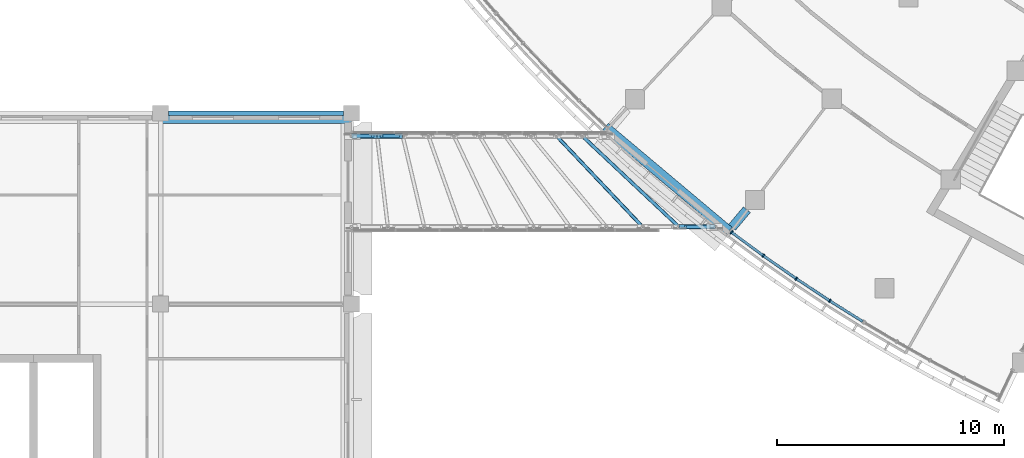
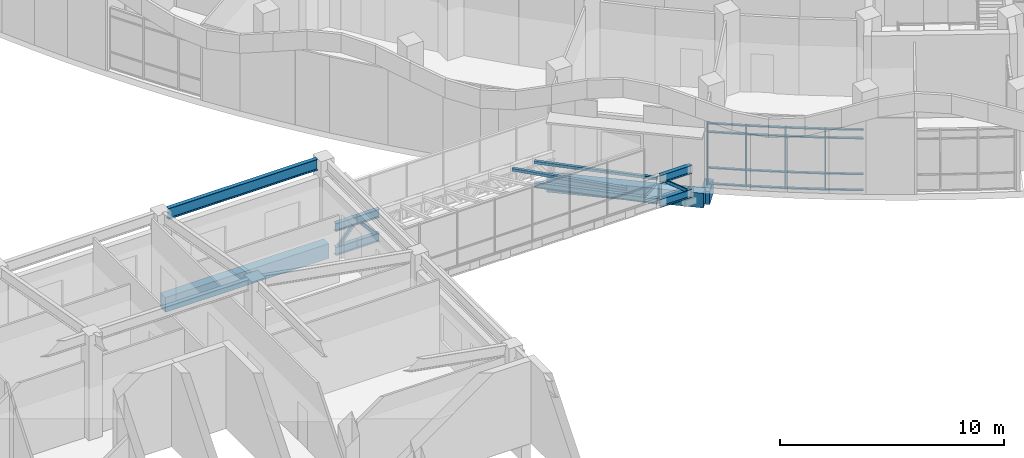
# One storey, part 5 of 136: 32 members, 4 beams, 1 element without a shape of its own.
"""IFC4 building model written with IfcOpenShell, lengths in metres."""

from ifc_helpers import new_model, si_unit, direction, frame, origin, origin_2d, place, context, subcontext, project, spatial, rectangle, hollow_rectangle, i_section, extrude, material, material_profile, profile_set, type_object, element, aggregate, save


model = new_model("IFC4")

# Units and contexts
model_context = context("Model", 3, precision=1e-05, world=origin(), true_north=direction((0.0, 1.0)))
body_context = subcontext(model_context, "Body", "Model", "MODEL_VIEW")
ifc_project = project(units=[si_unit("LENGTHUNIT", "METRE"), si_unit("AREAUNIT", "SQUARE_METRE"), si_unit("VOLUMEUNIT", "CUBIC_METRE"), si_unit("PLANEANGLEUNIT", "RADIAN"), si_unit("MASSUNIT", "GRAM", prefix="KILO")], contexts=[model_context])

# Site, building, storey
site_placement = place(None, origin())
site = spatial("IfcSite", under=ifc_project, at=site_placement, CompositionType="ELEMENT")
building_placement = place(site_placement, origin())
building = spatial("IfcBuilding", under=site, at=building_placement, Name="Bougainvillea Quay General Hospital", CompositionType="ELEMENT")
storey_placement = place(building_placement, frame((0.0, 0.0, 5.39990234375)))
storey = spatial("IfcBuildingStorey", under=building, at=storey_placement, Name="L01", CompositionType="ELEMENT", Elevation=5.39990234375)

# Curtain wall, members
ifc_material_1 = material(Name="Aluminium curtain wall system, powder-coated glazed", Category="aluminium")
curtain_wall_type = type_object("IfcCurtainWallType", Name="Unitised curtain wall CW-2100", PredefinedType="NOTDEFINED", material=ifc_material_1)
curtain_wall_placement = place(storey_placement, origin())
curtain_wall = element("IfcCurtainWall", 1, at=curtain_wall_placement, inside=storey, type_object=curtain_wall_type, Name="CW-W02 a01b1", PredefinedType="NOTDEFINED")
ifc_material_2 = material(Name="Aluminium mullion, powder-coated charcoal", Category="aluminium")
ifc_material_profile_1 = material_profile(ifc_material_2, rectangle(XDim=0.159912109375, YDim=0.06005859375, at=origin_2d()))
ifc_profile_set_1 = profile_set([ifc_material_profile_1], Name="Aluminium mullion, powder-coated charcoal")
member_type_1 = type_object("IfcMemberType", Name="Curtain wall mullion 160x60", PredefinedType="MULLION", material=ifc_profile_set_1)
member_1_placement = place(storey_placement, frame((71.45166015625, 67.347412109375, 0.0), z_axis=(0.0, 0.0, 1.0), x_axis=(-0.541194636325, -0.840897357359, 0.0)))
member_1 = element("IfcMember", 2, at=member_1_placement, type_object=member_type_1, Name="CW-W02 mullion 2", PredefinedType="MULLION", context=body_context, shape_type="SweptSolid", body=[
    extrude(rectangle(XDim=0.159912109375, YDim=0.06005859375, at=origin_2d()), origin(), (0.0, 0.0, 1.0), 3.35009765625),
])
member_2_placement = place(storey_placement, frame((69.9765625, 68.323486328125, 0.0), z_axis=(0.0, 0.0, 1.0), x_axis=(-0.562343185136, -0.826903949762, 0.0)))
member_2 = element("IfcMember", 3, at=member_2_placement, type_object=member_type_1, Name="CW-W02 mullion 3", PredefinedType="MULLION", context=body_context, shape_type="SweptSolid", body=[
    extrude(rectangle(XDim=0.159912109375, YDim=0.06005859375, at=origin_2d()), origin(), (0.0, 0.0, 1.0), 3.35009765625),
])
member_3_placement = place(storey_placement, frame((68.526611328125, 69.336669921875, 0.0), z_axis=(0.0, 0.0, 1.0), x_axis=(-0.583130104218, -0.812378779606, 0.0)))
member_3 = element("IfcMember", 4, at=member_3_placement, type_object=member_type_1, Name="CW-W02 mullion 4", PredefinedType="MULLION", context=body_context, shape_type="SweptSolid", body=[
    extrude(rectangle(XDim=0.159912109375, YDim=0.06005859375, at=origin_2d()), origin(), (0.0, 0.0, 1.0), 3.35009765625),
])
member_4_placement = place(storey_placement, frame((67.127197265625, 70.368408203125, 0.0), z_axis=(0.0, 0.0, 1.0), x_axis=(-0.593383765922, -0.804919689373, 0.0)))
member_4 = element("IfcMember", 5, at=member_4_placement, type_object=member_type_1, Name="CW-W02 mullion 5", PredefinedType="MULLION", context=body_context, shape_type="SweptSolid", body=[
    extrude(rectangle(XDim=0.159912109375, YDim=0.06005859375, at=origin_2d()), origin(), (0.0, 0.0, 1.0), 3.35009765625),
])
ifc_material_3 = material(Name="Aluminium transom, powder-coated charcoal", Category="aluminium")
ifc_material_profile_2 = material_profile(ifc_material_3, rectangle(XDim=0.1201171875, YDim=0.06005859375, at=origin_2d()))
ifc_profile_set_2 = profile_set([ifc_material_profile_2], Name="Aluminium transom, powder-coated charcoal")
member_type_2 = type_object("IfcMemberType", Name="Curtain wall transom 120x60", PredefinedType="USERDEFINED", material=ifc_profile_set_2)
member_5_placement = place(storey_placement, frame((72.900146484375, 66.44091796875, 0.030029296875), z_axis=(-0.847679524006, 0.530508647036, 0.0), x_axis=(-0.530508647036, -0.847679524006, 0.0)))
member_5 = element("IfcMember", 6, at=member_5_placement, type_object=member_type_2, Name="CW-W02 transom 1.1", ObjectType="TRANSOM", PredefinedType="USERDEFINED", context=body_context, shape_type="SweptSolid", body=[
    extrude(rectangle(XDim=0.1201171875, YDim=0.06005859375, at=origin_2d()), origin(), (0.0, 0.0, 1.0), 1.6787109375),
])
member_6_placement = place(storey_placement, frame((72.900146484375, 66.44091796875, 0.900146484375), z_axis=(-0.847679524006, 0.530508647036, 0.0), x_axis=(-0.530508647036, -0.847679524006, 0.0)))
member_6 = element("IfcMember", 7, at=member_6_placement, type_object=member_type_2, Name="CW-W02 transom 1.2", ObjectType="TRANSOM", PredefinedType="USERDEFINED", context=body_context, shape_type="SweptSolid", body=[
    extrude(rectangle(XDim=0.1201171875, YDim=0.06005859375, at=origin_2d()), origin(), (0.0, 0.0, 1.0), 1.6787109375),
])
member_7_placement = place(storey_placement, frame((72.900146484375, 66.44091796875, 2.85009765625), z_axis=(-0.847679524006, 0.530508647036, 0.0), x_axis=(-0.530508647036, -0.847679524006, 0.0)))
member_7 = element("IfcMember", 8, at=member_7_placement, type_object=member_type_2, Name="CW-W02 transom 1.3", ObjectType="TRANSOM", PredefinedType="USERDEFINED", context=body_context, shape_type="SweptSolid", body=[
    extrude(rectangle(XDim=0.1201171875, YDim=0.06005859375, at=origin_2d()), origin(), (0.0, 0.0, 1.0), 1.6787109375),
])
member_8_placement = place(storey_placement, frame((72.900146484375, 66.44091796875, 3.320068359375), z_axis=(-0.847679524006, 0.530508647036, 0.0), x_axis=(-0.530508647036, -0.847679524006, 0.0)))
member_8 = element("IfcMember", 9, at=member_8_placement, type_object=member_type_2, Name="CW-W02 transom 1.4", ObjectType="TRANSOM", PredefinedType="USERDEFINED", context=body_context, shape_type="SweptSolid", body=[
    extrude(rectangle(XDim=0.1201171875, YDim=0.06005859375, at=origin_2d()), origin(), (0.0, 0.0, 1.0), 1.6787109375),
])
member_9_placement = place(storey_placement, frame((71.4267578125, 67.364013671875, 0.030029296875), z_axis=(-0.833979585155, 0.551795298589, 0.0), x_axis=(-0.551795298589, -0.833979585155, 0.0)))
member_9 = element("IfcMember", 10, at=member_9_placement, type_object=member_type_2, Name="CW-W02 transom 2.1", ObjectType="TRANSOM", PredefinedType="USERDEFINED", context=body_context, shape_type="SweptSolid", body=[
    extrude(rectangle(XDim=0.1201171875, YDim=0.06005859375, at=origin_2d()), origin(), (0.0, 0.0, 1.0), 1.708740234375),
])
member_10_placement = place(storey_placement, frame((71.4267578125, 67.364013671875, 0.900146484375), z_axis=(-0.833979585155, 0.551795298589, 0.0), x_axis=(-0.551795298589, -0.833979585155, 0.0)))
member_10 = element("IfcMember", 11, at=member_10_placement, type_object=member_type_2, Name="CW-W02 transom 2.2", ObjectType="TRANSOM", PredefinedType="USERDEFINED", context=body_context, shape_type="SweptSolid", body=[
    extrude(rectangle(XDim=0.1201171875, YDim=0.06005859375, at=origin_2d()), origin(), (0.0, 0.0, 1.0), 1.708740234375),
])
member_11_placement = place(storey_placement, frame((71.4267578125, 67.364013671875, 2.85009765625), z_axis=(-0.833979585155, 0.551795298589, 0.0), x_axis=(-0.551795298589, -0.833979585155, 0.0)))
member_11 = element("IfcMember", 12, at=member_11_placement, type_object=member_type_2, Name="CW-W02 transom 2.3", ObjectType="TRANSOM", PredefinedType="USERDEFINED", context=body_context, shape_type="SweptSolid", body=[
    extrude(rectangle(XDim=0.1201171875, YDim=0.06005859375, at=origin_2d()), origin(), (0.0, 0.0, 1.0), 1.708740234375),
])
member_12_placement = place(storey_placement, frame((71.4267578125, 67.364013671875, 3.320068359375), z_axis=(-0.833979585155, 0.551795298589, 0.0), x_axis=(-0.551795298589, -0.833979585155, 0.0)))
member_12 = element("IfcMember", 13, at=member_12_placement, type_object=member_type_2, Name="CW-W02 transom 2.4", ObjectType="TRANSOM", PredefinedType="USERDEFINED", context=body_context, shape_type="SweptSolid", body=[
    extrude(rectangle(XDim=0.1201171875, YDim=0.06005859375, at=origin_2d()), origin(), (0.0, 0.0, 1.0), 1.708740234375),
])
member_13_placement = place(storey_placement, frame((69.951904296875, 68.340576171875, 0.030029296875), z_axis=(-0.81969481029, 0.572800504524, 0.0), x_axis=(-0.572800504524, -0.81969481029, 0.0)))
member_13 = element("IfcMember", 14, at=member_13_placement, type_object=member_type_2, Name="CW-W02 transom 3.1", ObjectType="TRANSOM", PredefinedType="USERDEFINED", context=body_context, shape_type="SweptSolid", body=[
    extrude(rectangle(XDim=0.1201171875, YDim=0.06005859375, at=origin_2d()), origin(), (0.0, 0.0, 1.0), 1.708740234375),
])
member_14_placement = place(storey_placement, frame((69.951904296875, 68.340576171875, 0.900146484375), z_axis=(-0.81969481029, 0.572800504524, 0.0), x_axis=(-0.572800504524, -0.81969481029, 0.0)))
member_14 = element("IfcMember", 15, at=member_14_placement, type_object=member_type_2, Name="CW-W02 transom 3.2", ObjectType="TRANSOM", PredefinedType="USERDEFINED", context=body_context, shape_type="SweptSolid", body=[
    extrude(rectangle(XDim=0.1201171875, YDim=0.06005859375, at=origin_2d()), origin(), (0.0, 0.0, 1.0), 1.708740234375),
])
member_15_placement = place(storey_placement, frame((69.951904296875, 68.340576171875, 2.85009765625), z_axis=(-0.81969481029, 0.572800504524, 0.0), x_axis=(-0.572800504524, -0.81969481029, 0.0)))
member_15 = element("IfcMember", 16, at=member_15_placement, type_object=member_type_2, Name="CW-W02 transom 3.3", ObjectType="TRANSOM", PredefinedType="USERDEFINED", context=body_context, shape_type="SweptSolid", body=[
    extrude(rectangle(XDim=0.1201171875, YDim=0.06005859375, at=origin_2d()), origin(), (0.0, 0.0, 1.0), 1.708740234375),
])
member_16_placement = place(storey_placement, frame((69.951904296875, 68.340576171875, 3.320068359375), z_axis=(-0.81969481029, 0.572800504524, 0.0), x_axis=(-0.572800504524, -0.81969481029, 0.0)))
member_16 = element("IfcMember", 17, at=member_16_placement, type_object=member_type_2, Name="CW-W02 transom 3.4", ObjectType="TRANSOM", PredefinedType="USERDEFINED", context=body_context, shape_type="SweptSolid", body=[
    extrude(rectangle(XDim=0.1201171875, YDim=0.06005859375, at=origin_2d()), origin(), (0.0, 0.0, 1.0), 1.708740234375),
])
member_17_placement = place(storey_placement, frame((68.50244140625, 69.3544921875, 0.030029296875), z_axis=(-0.804894956089, 0.593417314934, 0.0), x_axis=(-0.593417314934, -0.804894956089, 0.0)))
member_17 = element("IfcMember", 18, at=member_17_placement, type_object=member_type_2, Name="CW-W02 transom 4.1", ObjectType="TRANSOM", PredefinedType="USERDEFINED", context=body_context, shape_type="SweptSolid", body=[
    extrude(rectangle(XDim=0.1201171875, YDim=0.06005859375, at=origin_2d()), origin(), (0.0, 0.0, 1.0), 1.678466796875),
])
member_18_placement = place(storey_placement, frame((68.50244140625, 69.3544921875, 0.900146484375), z_axis=(-0.804894956089, 0.593417314934, 0.0), x_axis=(-0.593417314934, -0.804894956089, 0.0)))
member_18 = element("IfcMember", 19, at=member_18_placement, type_object=member_type_2, Name="CW-W02 transom 4.2", ObjectType="TRANSOM", PredefinedType="USERDEFINED", context=body_context, shape_type="SweptSolid", body=[
    extrude(rectangle(XDim=0.1201171875, YDim=0.06005859375, at=origin_2d()), origin(), (0.0, 0.0, 1.0), 1.678466796875),
])
member_19_placement = place(storey_placement, frame((68.50244140625, 69.3544921875, 2.85009765625), z_axis=(-0.804894956089, 0.593417314934, 0.0), x_axis=(-0.593417314934, -0.804894956089, 0.0)))
member_19 = element("IfcMember", 20, at=member_19_placement, type_object=member_type_2, Name="CW-W02 transom 4.3", ObjectType="TRANSOM", PredefinedType="USERDEFINED", context=body_context, shape_type="SweptSolid", body=[
    extrude(rectangle(XDim=0.1201171875, YDim=0.06005859375, at=origin_2d()), origin(), (0.0, 0.0, 1.0), 1.678466796875),
])
member_20_placement = place(storey_placement, frame((68.50244140625, 69.3544921875, 3.320068359375), z_axis=(-0.804894956089, 0.593417314934, 0.0), x_axis=(-0.593417314934, -0.804894956089, 0.0)))
member_20 = element("IfcMember", 21, at=member_20_placement, type_object=member_type_2, Name="CW-W02 transom 4.4", ObjectType="TRANSOM", PredefinedType="USERDEFINED", context=body_context, shape_type="SweptSolid", body=[
    extrude(rectangle(XDim=0.1201171875, YDim=0.06005859375, at=origin_2d()), origin(), (0.0, 0.0, 1.0), 1.678466796875),
])
aggregate(curtain_wall, [member_1, member_2, member_3, member_4, member_5, member_6, member_7, member_8, member_9, member_10, member_11, member_12, member_13, member_14, member_15, member_16, member_17, member_18, member_19, member_20])

# Members
ifc_material_4 = material(Name="Steel Q355", Category="steel")
ifc_material_profile_3 = material_profile(ifc_material_4, i_section(OverallWidth=0.14990234375, OverallDepth=0.300048828125, WebThickness=0.006591796875, FlangeThickness=0.009033203125, FilletRadius=0.012939453125, at=origin_2d()))
ifc_profile_set_3 = profile_set([ifc_material_profile_3], Name="Steel Q355")
member_type_3 = type_object("IfcMemberType", Name="HN 300x150x6.5x9 Q355 STRUT", PredefinedType="STRUT", material=ifc_profile_set_3)
member_21_placement = place(storey_placement, frame((60.631591796875, 74.531494140625, -0.27001953125), z_axis=(0.728912187869, -0.684607202983, 0.0), x_axis=(0.684607202983, 0.728912187869, 0.0)))
element("IfcMember", 22, at=member_21_placement, inside=storey, type_object=member_type_3, Name="Bridge floor beam", PredefinedType="STRUT", context=body_context, shape_type="SweptSolid", body=[
    extrude(i_section(OverallWidth=0.14990234375, OverallDepth=0.300048828125, WebThickness=0.006591796875, FlangeThickness=0.009033203125, FilletRadius=0.012939453125, at=origin_2d()), origin(), (0.0, 0.0, 1.0), 5.642822265625),
])
ifc_material_profile_4 = material_profile(ifc_material_4, i_section(OverallWidth=0.199951171875, OverallDepth=0.449951171875, WebThickness=0.009033203125, FlangeThickness=0.013916015625, FilletRadius=0.012939453125, at=origin_2d()))
ifc_profile_set_4 = profile_set([ifc_material_profile_4], Name="Steel Q355")
member_type_4 = type_object("IfcMemberType", Name="HN 450x200x9x14 Q355 CHORD", PredefinedType="CHORD", material=ifc_profile_set_4)
for number, where, z_axis, x_axis, name in (
    (23, (50.39990234375, 74.60009765625, -0.344970703125), (1.0, 0.0, 0.0), (0.0, 1.0, 0.0), "Bottom chord"),
    (24, (50.39990234375, 74.60009765625, 0.955078125), (1.0, 0.0, 0.0), (0.0, 1.0, 0.0), "Top chord"),
):
    element("IfcMember", number, at=place(storey_placement, frame(where, z_axis=z_axis, x_axis=x_axis)), inside=storey, type_object=member_type_4, Name=name, PredefinedType="CHORD", context=body_context, shape_type="SweptSolid", body=[
        extrude(i_section(OverallWidth=0.199951171875, OverallDepth=0.449951171875, WebThickness=0.009033203125, FlangeThickness=0.013916015625, FilletRadius=0.012939453125, at=origin_2d()), origin(), (0.0, 0.0, 1.0), 1.12890625),
    ])
for number, where, z_axis, x_axis, name in (
    (25, (51.52880859375, 74.60009765625, -0.344970703125), (1.0, 0.0, 0.0), (0.0, 1.0, 0.0), "Bottom chord"),
    (26, (51.52880859375, 74.60009765625, 0.955078125), (1.0, 0.0, 0.0), (0.0, 1.0, 0.0), "Top chord"),
):
    element("IfcMember", number, at=place(storey_placement, frame(where, z_axis=z_axis, x_axis=x_axis)), inside=storey, type_object=member_type_4, Name=name, PredefinedType="CHORD", context=body_context, shape_type="SweptSolid", body=[
        extrude(i_section(OverallWidth=0.199951171875, OverallDepth=0.449951171875, WebThickness=0.009033203125, FlangeThickness=0.013916015625, FilletRadius=0.012939453125, at=origin_2d()), origin(), (0.0, 0.0, 1.0), 1.128662109375),
    ])
for number, where, z_axis, x_axis, name in (
    (27, (64.817626953125, 70.60009765625, -0.344970703125), (1.0, 0.0, 0.0), (0.0, 1.0, 0.0), "Bottom chord"),
    (28, (64.817626953125, 70.60009765625, 0.955078125), (1.0, 0.0, 0.0), (0.0, 1.0, 0.0), "Top chord"),
):
    element("IfcMember", number, at=place(storey_placement, frame(where, z_axis=z_axis, x_axis=x_axis)), inside=storey, type_object=member_type_4, Name=name, PredefinedType="CHORD", context=body_context, shape_type="SweptSolid", body=[
        extrude(i_section(OverallWidth=0.199951171875, OverallDepth=0.449951171875, WebThickness=0.009033203125, FlangeThickness=0.013916015625, FilletRadius=0.012939453125, at=origin_2d()), origin(), (0.0, 0.0, 1.0), 1.60205078125),
    ])

# Beams
ifc_material_profile_5 = material_profile(ifc_material_4, i_section(OverallWidth=0.199951171875, OverallDepth=0.60009765625, WebThickness=0.010986328125, FlangeThickness=0.01708984375, FilletRadius=0.012939453125, at=origin_2d()))
ifc_profile_set_5 = profile_set([ifc_material_profile_5], Name="Steel Q355")
beam_type_1 = type_object("IfcBeamType", Name="HN 600x200x11x17 Q355", PredefinedType="BEAM", material=ifc_profile_set_5)
beam_1_placement = place(storey_placement, frame((42.35009765625, 75.60009765625, 3.91015625), z_axis=(1.0, 0.0, 0.0), x_axis=(0.0, 1.0, 0.0)))
element("IfcBeam", 29, at=beam_1_placement, inside=storey, type_object=beam_type_1, Name="Roof girder", PredefinedType="BEAM", context=body_context, shape_type="SweptSolid", body=[
    extrude(i_section(OverallWidth=0.199951171875, OverallDepth=0.60009765625, WebThickness=0.010986328125, FlangeThickness=0.01708984375, FilletRadius=0.012939453125, at=origin_2d()), origin(), (0.0, 0.0, 1.0), 7.699951171875),
])
ifc_material_5 = material(Name="Concrete C40", Category="concrete")
ifc_material_profile_6 = material_profile(ifc_material_5, rectangle(XDim=0.39990234375, YDim=0.699951171875, at=origin_2d()))
ifc_profile_set_6 = profile_set([ifc_material_profile_6], Name="Concrete C40")
beam_type_2 = type_object("IfcBeamType", Name="RC BEAM 400x700 C40", PredefinedType="BEAM", material=ifc_profile_set_6)
beam_2_placement = place(storey_placement, frame((67.802001953125, 71.35595703125, -0.89990234375), z_axis=(-0.643345335984, -0.765576108998, 0.0), x_axis=(0.765576108998, -0.643345335984, 0.0)))
element("IfcBeam", 30, at=beam_2_placement, inside=storey, type_object=beam_type_2, Name="Landing stub beam", PredefinedType="BEAM", context=body_context, shape_type="SweptSolid", body=[
    extrude(rectangle(XDim=0.39990234375, YDim=0.699951171875, at=origin_2d()), origin(), (0.0, 0.0, 1.0), 1.0087890625),
])
ifc_material_profile_7 = material_profile(ifc_material_5, rectangle(XDim=0.449951171875, YDim=0.800048828125, at=origin_2d()))
ifc_profile_set_7 = profile_set([ifc_material_profile_7], Name="Concrete C40")
beam_type_3 = type_object("IfcBeamType", Name="RC BEAM 450x800 C40", PredefinedType="BEAM", material=ifc_profile_set_7)
beam_3_placement = place(storey_placement, frame((50.39990234375, 75.375, -0.699951171875), z_axis=(-1.0, 0.0, 0.0), x_axis=(0.0, -1.0, 0.0)))
element("IfcBeam", 31, at=beam_3_placement, inside=storey, type_object=beam_type_3, Name="Edge beam L01", PredefinedType="BEAM", context=body_context, shape_type="SweptSolid", body=[
    extrude(rectangle(XDim=0.449951171875, YDim=0.800048828125, at=origin_2d()), origin(), (0.0, 0.0, 1.0), 8.39990234375),
])
beam_4_placement = place(storey_placement, frame((61.55810546875, 74.990234375, -0.75), z_axis=(0.765656891235, -0.643249193474, 0.0), x_axis=(0.643249193474, 0.765656891235, 0.0)))
element("IfcBeam", 32, at=beam_4_placement, inside=storey, type_object=beam_type_3, Name="Edge beam L01", PredefinedType="BEAM", context=body_context, shape_type="SweptSolid", body=[
    extrude(rectangle(XDim=0.449951171875, YDim=0.800048828125, at=origin_2d()), origin(), (0.0, 0.0, 1.0), 7.118408203125),
])

# Members
ifc_material_profile_8 = material_profile(ifc_material_4, hollow_rectangle(XDim=0.14990234375, YDim=0.14990234375, WallThickness=0.008056640625, InnerFilletRadius=0.008056640625, OuterFilletRadius=0.01611328125, at=origin_2d()))
ifc_profile_set_8 = profile_set([ifc_material_profile_8], Name="Steel Q355")
member_type_5 = type_object("IfcMemberType", Name="SHS 150x150x8 Q355 BRACE", PredefinedType="BRACE", material=ifc_profile_set_8)
for number, where, z_axis, x_axis, name in (
    (33, (50.595458984375, 74.60009765625, -0.119873046875), (0.655689909374, 0.0, 0.755030292601), (0.0, 1.0, 0.0), "Truss diagonal"),
    (34, (52.462158203125, 74.60009765625, -0.119873046875), (-0.655689909374, 0.0, 0.755030292601), (0.0, -1.0, 0.0), "Truss diagonal"),
):
    element("IfcMember", number, at=place(storey_placement, frame(where, z_axis=z_axis, x_axis=x_axis)), inside=storey, type_object=member_type_5, Name=name, PredefinedType="BRACE", context=body_context, shape_type="SweptSolid", body=[
        extrude(hollow_rectangle(XDim=0.14990234375, YDim=0.14990234375, WallThickness=0.008056640625, InnerFilletRadius=0.008056640625, OuterFilletRadius=0.01611328125, at=origin_2d()), origin(), (0.0, 0.0, 1.0), 1.12548828125),
    ])
member_22_placement = place(storey_placement, frame((66.142333984375, 70.60009765625, -0.119873046875), z_axis=(-0.776523552824, 0.0, 0.630088225497), x_axis=(0.0, -1.0, 0.0)))
element("IfcMember", 35, at=member_22_placement, inside=storey, type_object=member_type_5, Name="Truss diagonal", PredefinedType="BRACE", context=body_context, shape_type="SweptSolid", body=[
    extrude(hollow_rectangle(XDim=0.14990234375, YDim=0.14990234375, WallThickness=0.008056640625, InnerFilletRadius=0.008056640625, OuterFilletRadius=0.01611328125, at=origin_2d()), origin(), (0.0, 0.0, 1.0), 1.348876953125),
])
ifc_material_profile_9 = material_profile(ifc_material_4, hollow_rectangle(XDim=0.14990234375, YDim=0.14990234375, WallThickness=0.008056640625, InnerFilletRadius=0.008056640625, OuterFilletRadius=0.01611328125, at=origin_2d()))
ifc_profile_set_9 = profile_set([ifc_material_profile_9], Name="Steel Q355")
member_type_6 = type_object("IfcMemberType", Name="SHS 150x150x8 Q355 STRUT", PredefinedType="STRUT", material=ifc_profile_set_9)
member_23_placement = place(storey_placement, frame((59.498779296875, 74.52734375, 0.955078125), z_axis=(0.687380925046, -0.726297090648, 0.0), x_axis=(0.726297090648, 0.687380925046, 0.0)))
element("IfcMember", 36, at=member_23_placement, inside=storey, type_object=member_type_6, Name="Top strut", PredefinedType="STRUT", context=body_context, shape_type="SweptSolid", body=[
    extrude(hollow_rectangle(XDim=0.14990234375, YDim=0.14990234375, WallThickness=0.008056640625, InnerFilletRadius=0.008056640625, OuterFilletRadius=0.01611328125, at=origin_2d()), origin(), (0.0, 0.0, 1.0), 5.307373046875),
])
member_24_placement = place(storey_placement, frame((60.631591796875, 74.531494140625, 0.955078125), z_axis=(0.728912187869, -0.684607202983, 0.0), x_axis=(0.684607202983, 0.728912187869, 0.0)))
element("IfcMember", 37, at=member_24_placement, inside=storey, type_object=member_type_6, Name="Top strut", PredefinedType="STRUT", context=body_context, shape_type="SweptSolid", body=[
    extrude(hollow_rectangle(XDim=0.14990234375, YDim=0.14990234375, WallThickness=0.008056640625, InnerFilletRadius=0.008056640625, OuterFilletRadius=0.01611328125, at=origin_2d()), origin(), (0.0, 0.0, 1.0), 5.642822265625),
])

save(model, "model.ifc")
